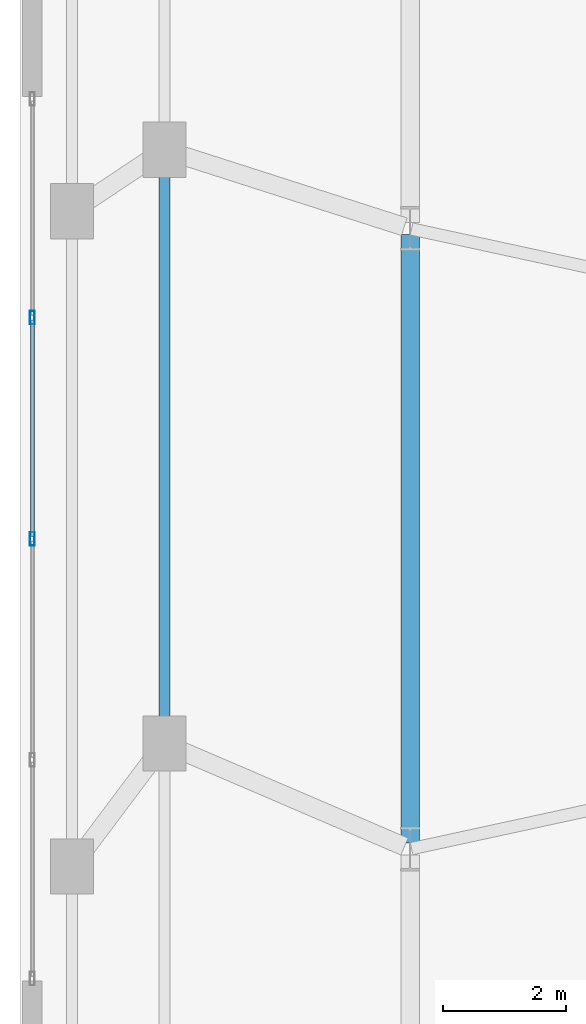
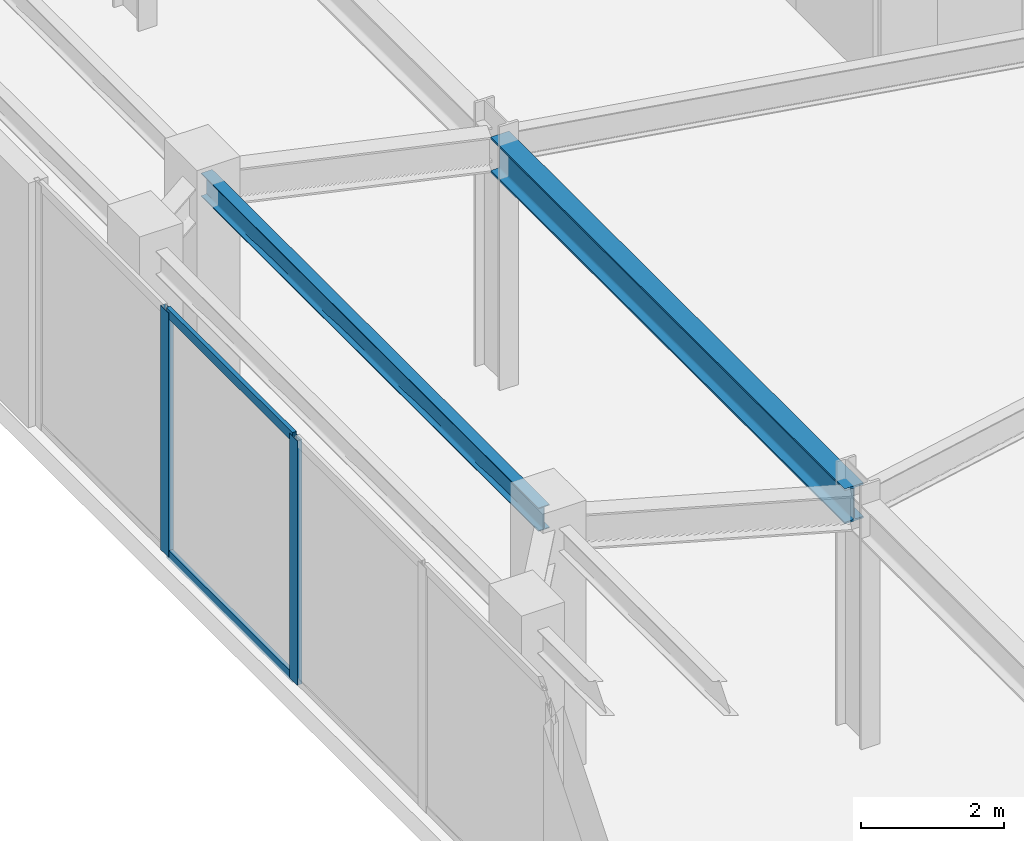
# One storey, part 7 of 21: 4 members, 2 beams, 1 element without a shape of its own.
"""IFC4 building model written with IfcOpenShell, lengths in metres."""

from ifc_helpers import new_model, si_unit, direction, frame, origin, origin_2d, place, context, subcontext, project, spatial, hollow_rectangle, i_section, extrude, material, layer, layer_set, material_profile, profile_set, type_object, element, aggregate, save


model = new_model("IFC4")

# Units and contexts
model_context = context("Model", 3, precision=1e-05, world=origin(), true_north=direction((0.0, 1.0)))
body_context = subcontext(model_context, "Body", "Model", "MODEL_VIEW")
ifc_project = project(units=[si_unit("LENGTHUNIT", "METRE"), si_unit("AREAUNIT", "SQUARE_METRE"), si_unit("VOLUMEUNIT", "CUBIC_METRE"), si_unit("PLANEANGLEUNIT", "RADIAN"), si_unit("MASSUNIT", "GRAM", prefix="KILO")], contexts=[model_context])

# Site, building, storey
site_placement = place(None, origin())
site = spatial("IfcSite", under=ifc_project, at=site_placement, CompositionType="ELEMENT")
building_placement = place(site_placement, origin())
building = spatial("IfcBuilding", under=site, at=building_placement, Name="Qobustan Lattice House", CompositionType="ELEMENT")
storey_placement = place(building_placement, frame((0.0, 0.0, 4.5)))
storey = spatial("IfcBuildingStorey", under=building, at=storey_placement, Name="L01", CompositionType="ELEMENT", Elevation=4.5)

# Beams
ifc_material_1 = material(Name="Steel S355", Category="steel")
ifc_material_profile_1 = material_profile(ifc_material_1, i_section(OverallWidth=0.300048828125, OverallDepth=0.60009765625, WebThickness=0.015380859375, FlangeThickness=0.030029296875, FilletRadius=0.027099609375, at=origin_2d()), Name="HEB600")
ifc_profile_set_1 = profile_set([ifc_material_profile_1], Name="Steel S355")
beam_type_1 = type_object("IfcBeamType", Name="BM-POD-HEB600", PredefinedType="USERDEFINED", material=ifc_profile_set_1)
beam_1_placement = place(storey_placement, frame((-32.14990234375, 4.949951171875, 3.8701171875), z_axis=(0.0, -1.0, 0.0), x_axis=(1.0, 0.0, 0.0)))
element("IfcBeam", 1, at=beam_1_placement, inside=storey, type_object=beam_type_1, Name="L01 tower base ring girder W2-W3", ObjectType="GIRDER", PredefinedType="USERDEFINED", context=body_context, shape_type="SweptSolid", body=[
    extrude(i_section(OverallWidth=0.300048828125, OverallDepth=0.60009765625, WebThickness=0.015380859375, FlangeThickness=0.030029296875, FilletRadius=0.027099609375, at=origin_2d()), origin(), (0.0, 0.0, 1.0), 9.89990234375),
])
ifc_material_2 = material(Name="Steel S355", Category="steel")
ifc_material_profile_2 = material_profile(ifc_material_2, i_section(OverallWidth=0.179931640625, OverallDepth=0.39990234375, WebThickness=0.008544921875, FlangeThickness=0.013427734375, FilletRadius=0.02099609375, at=origin_2d()), Name="IPE400")
ifc_profile_set_2 = profile_set([ifc_material_profile_2], Name="Steel S355")
beam_type_2 = type_object("IfcBeamType", Name="BM-SPD-IPE400", PredefinedType="SPANDREL", material=ifc_profile_set_2)
beam_2_placement = place(storey_placement, frame((-36.14990234375, -3.21337890625, 3.969970703125), z_axis=(0.0, 1.0, 0.0), x_axis=(-1.0, 0.0, 0.0)))
element("IfcBeam", 2, at=beam_2_placement, inside=storey, type_object=beam_type_2, Name="L01 podium spandrel PW2-PW3", PredefinedType="SPANDREL", context=body_context, shape_type="SweptSolid", body=[
    extrude(i_section(OverallWidth=0.179931640625, OverallDepth=0.39990234375, WebThickness=0.008544921875, FlangeThickness=0.013427734375, FilletRadius=0.02099609375, at=origin_2d()), origin(), (0.0, 0.0, 1.0), 9.4267578125),
])

# Curtain wall, members
ifc_material_3 = material(Name="Anodised aluminium and low-E glazing", Category="aluminium")
ifc_layer = layer(ifc_material_3, 0.219970703125)
ifc_layer_set = layer_set([ifc_layer], Name="Anodised aluminium and low-E glazing")
curtain_wall_type = type_object("IfcCurtainWallType", Name="CW-POD-01", PredefinedType="USERDEFINED", material=ifc_layer_set)
curtain_wall_placement = place(storey_placement, origin())
curtain_wall = element("IfcCurtainWall", 3, at=curtain_wall_placement, inside=storey, type_object=curtain_wall_type, Name="L01 W podium colonnade curtain wall", ObjectType="CURTAIN WALL", PredefinedType="USERDEFINED")
ifc_material_4 = material(Name="Anodised aluminium EN AW-6063 T6", Category="aluminium")
ifc_material_profile_3 = material_profile(ifc_material_4, hollow_rectangle(XDim=0.080078125, YDim=0.219970703125, WallThickness=0.0048828125, at=origin_2d()), Name="CWM-220x80")
ifc_profile_set_3 = profile_set([ifc_material_profile_3], Name="Anodised aluminium EN AW-6063 T6")
member_type_1 = type_object("IfcMemberType", Name="CWM-MAIN-220", PredefinedType="MULLION", material=ifc_profile_set_3)
member_1_placement = place(storey_placement, frame((-38.300048828125, 0.0, 0.0), z_axis=(0.0, 0.0, 1.0), x_axis=(-1.0, 0.0, 0.0)))
member_1 = element("IfcMember", 4, at=member_1_placement, type_object=member_type_1, Name="CW-P1 mullion 3", PredefinedType="MULLION", context=body_context, shape_type="SweptSolid", body=[
    extrude(hollow_rectangle(XDim=0.080078125, YDim=0.219970703125, WallThickness=0.0048828125, at=origin_2d()), origin(), (0.0, 0.0, 1.0), 4.169921875),
])
member_2_placement = place(storey_placement, frame((-38.300048828125, 3.60009765625, 0.0), z_axis=(0.0, 0.0, 1.0), x_axis=(-1.0, 0.0, 0.0)))
member_2 = element("IfcMember", 5, at=member_2_placement, type_object=member_type_1, Name="CW-P1 mullion 4", PredefinedType="MULLION", context=body_context, shape_type="SweptSolid", body=[
    extrude(hollow_rectangle(XDim=0.080078125, YDim=0.219970703125, WallThickness=0.0048828125, at=origin_2d()), origin(), (0.0, 0.0, 1.0), 4.169921875),
])
ifc_material_5 = material(Name="Anodised aluminium EN AW-6063 T6", Category="aluminium")
ifc_material_profile_4 = material_profile(ifc_material_5, hollow_rectangle(XDim=0.06494140625, YDim=0.159912109375, WallThickness=0.00390625, at=origin_2d()), Name="CWT-160x65")
ifc_profile_set_4 = profile_set([ifc_material_profile_4], Name="Anodised aluminium EN AW-6063 T6")
member_type_2 = type_object("IfcMemberType", Name="CWT-HOR-160", PredefinedType="USERDEFINED", material=ifc_profile_set_4)
member_3_placement = place(storey_placement, frame((-38.300048828125, 0.0400390625, 0.032470703125), z_axis=(0.0, 1.0, 0.0), x_axis=(-1.0, 0.0, 0.0)))
member_3 = element("IfcMember", 6, at=member_3_placement, type_object=member_type_2, Name="CW-P1 transom 3.1", ObjectType="TRANSOM", PredefinedType="USERDEFINED", context=body_context, shape_type="SweptSolid", body=[
    extrude(hollow_rectangle(XDim=0.06494140625, YDim=0.159912109375, WallThickness=0.00390625, at=origin_2d()), origin(), (0.0, 0.0, 1.0), 3.52001953125),
])
member_4_placement = place(storey_placement, frame((-38.300048828125, 0.0400390625, 4.137451171875), z_axis=(0.0, 1.0, 0.0), x_axis=(-1.0, 0.0, 0.0)))
member_4 = element("IfcMember", 7, at=member_4_placement, type_object=member_type_2, Name="CW-P1 transom 3.2", ObjectType="TRANSOM", PredefinedType="USERDEFINED", context=body_context, shape_type="SweptSolid", body=[
    extrude(hollow_rectangle(XDim=0.06494140625, YDim=0.159912109375, WallThickness=0.00390625, at=origin_2d()), origin(), (0.0, 0.0, 1.0), 3.52001953125),
])
aggregate(curtain_wall, [member_1, member_2, member_3, member_4])

save(model, "model.ifc")
